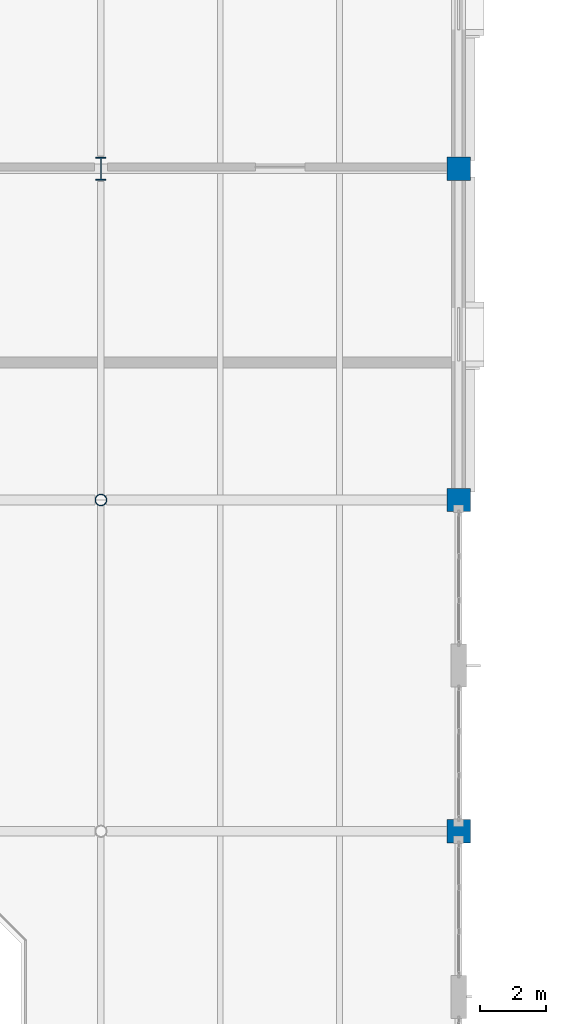
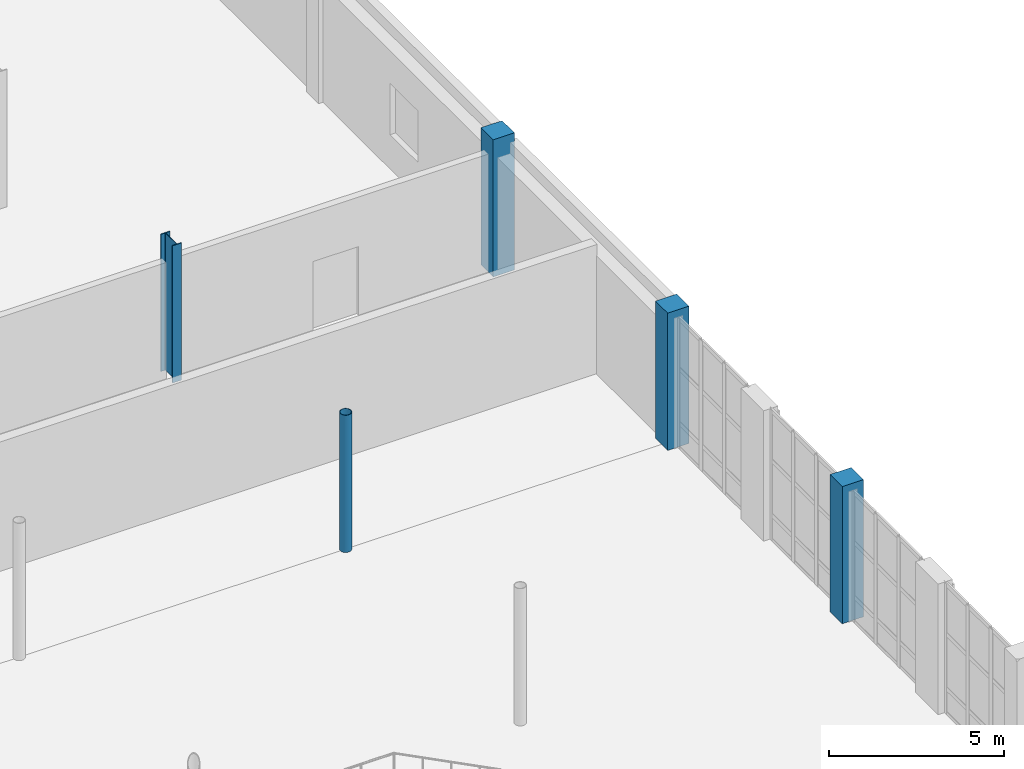
# One storey, part 13 of 92: 5 columns.
"""IFC4 building model written with IfcOpenShell, lengths in metres."""

from ifc_helpers import new_model, si_unit, direction, frame, origin, origin_2d, place, context, subcontext, project, spatial, rectangle, hollow_circle, i_section, extrude, material, material_profile, profile_set, type_object, element, save


model = new_model("IFC4")

# Units and contexts
model_context = context("Model", 3, precision=1e-05, world=origin(), true_north=direction((0.0, 1.0)))
body_context = subcontext(model_context, "Body", "Model", "MODEL_VIEW")
ifc_project = project(units=[si_unit("LENGTHUNIT", "METRE"), si_unit("AREAUNIT", "SQUARE_METRE"), si_unit("VOLUMEUNIT", "CUBIC_METRE"), si_unit("PLANEANGLEUNIT", "RADIAN"), si_unit("MASSUNIT", "GRAM", prefix="KILO")], contexts=[model_context])

# Site, building, storey
site_placement = place(None, origin())
site = spatial("IfcSite", under=ifc_project, at=site_placement, CompositionType="ELEMENT")
building_placement = place(site_placement, origin())
building = spatial("IfcBuilding", under=site, at=building_placement, Name="Tasgan Crest Museum", CompositionType="ELEMENT")
storey_placement = place(building_placement, frame((0.0, 0.0, 4.800048828125)))
storey = spatial("IfcBuildingStorey", under=building, at=storey_placement, Name="L01", CompositionType="ELEMENT", Elevation=4.800048828125)

# Columns
ifc_material_1 = material(Name="Steel S355K2", Category="steel")
ifc_material_profile_1 = material_profile(ifc_material_1, hollow_circle(Radius=0.177734375, WallThickness=0.01611328125, at=origin_2d()), Name="CHS 355.6x16")
ifc_profile_set_1 = profile_set([ifc_material_profile_1], Name="Steel S355K2")
column_type_1 = type_object("IfcColumnType", Name="COL-CHS355", PredefinedType="COLUMN", material=ifc_profile_set_1)
column_1_placement = place(storey_placement, frame((97.199951171875, 82.0, 0.0), z_axis=(0.0, 0.0, 1.0), x_axis=(1.0, 0.0, 0.0)))
element("IfcColumn", 1, at=column_1_placement, inside=storey, type_object=column_type_1, Name="Column 10/J L01", PredefinedType="COLUMN", context=body_context, shape_type="SweptSolid", body=[
    extrude(hollow_circle(Radius=0.177734375, WallThickness=0.01611328125, at=origin_2d()), origin(), (0.0, 0.0, 1.0), 4.800048828125),
])
ifc_material_2 = material(Name="Steel S355K2", Category="steel")
ifc_material_profile_2 = material_profile(ifc_material_2, i_section(OverallWidth=0.300048828125, OverallDepth=0.68994140625, WebThickness=0.014404296875, FlangeThickness=0.027099609375, FilletRadius=0.027099609375, at=origin_2d()), Name="HEA 700")
ifc_profile_set_2 = profile_set([ifc_material_profile_2], Name="Steel S355K2")
column_type_2 = type_object("IfcColumnType", Name="COL-HEA700", PredefinedType="COLUMN", material=ifc_profile_set_2)
column_2_placement = place(storey_placement, frame((97.199951171875, 92.0, 0.0), z_axis=(0.0, 0.0, 1.0), x_axis=(1.0, 0.0, 0.0)))
element("IfcColumn", 2, at=column_2_placement, inside=storey, type_object=column_type_2, Name="Column 10/K L01", PredefinedType="COLUMN", context=body_context, shape_type="SweptSolid", body=[
    extrude(i_section(OverallWidth=0.300048828125, OverallDepth=0.68994140625, WebThickness=0.014404296875, FlangeThickness=0.027099609375, FilletRadius=0.027099609375, at=origin_2d()), origin(), (0.0, 0.0, 1.0), 4.800048828125),
])
ifc_material_3 = material(Name="Concrete C40/50", Category="concrete")
ifc_material_profile_3 = material_profile(ifc_material_3, rectangle(XDim=0.699951171875, YDim=0.699951171875, at=origin_2d()), Name="RC 700x700")
ifc_profile_set_3 = profile_set([ifc_material_profile_3], Name="Concrete C40/50")
column_type_3 = type_object("IfcColumnType", Name="COL-RC700", PredefinedType="COLUMN", material=ifc_profile_set_3)
for number, where, z_axis, x_axis, name in (
    (3, (108.0, 72.0, 0.0), (0.0, 0.0, 1.0), (1.0, 0.0, 0.0), "Column 11/H L01"),
    (4, (108.0, 82.0, 0.0), (0.0, 0.0, 1.0), (1.0, 0.0, 0.0), "Column 11/J L01"),
    (5, (108.0, 92.0, 0.0), (0.0, 0.0, 1.0), (1.0, 0.0, 0.0), "Column 11/K L01"),
):
    element("IfcColumn", number, at=place(storey_placement, frame(where, z_axis=z_axis, x_axis=x_axis)), inside=storey, type_object=column_type_3, Name=name, PredefinedType="COLUMN", context=body_context, shape_type="SweptSolid", body=[
        extrude(rectangle(XDim=0.699951171875, YDim=0.699951171875, at=origin_2d()), origin(), (0.0, 0.0, 1.0), 4.800048828125),
    ])

save(model, "model.ifc")
